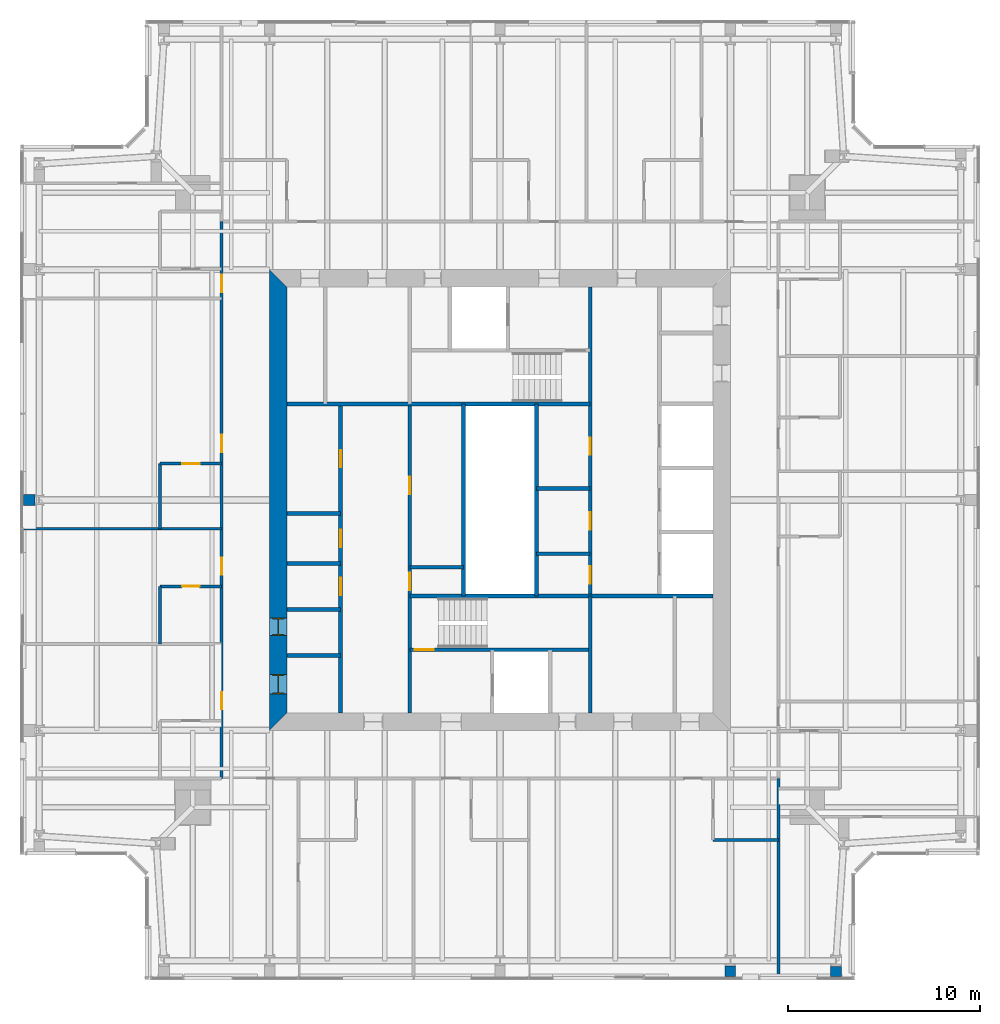
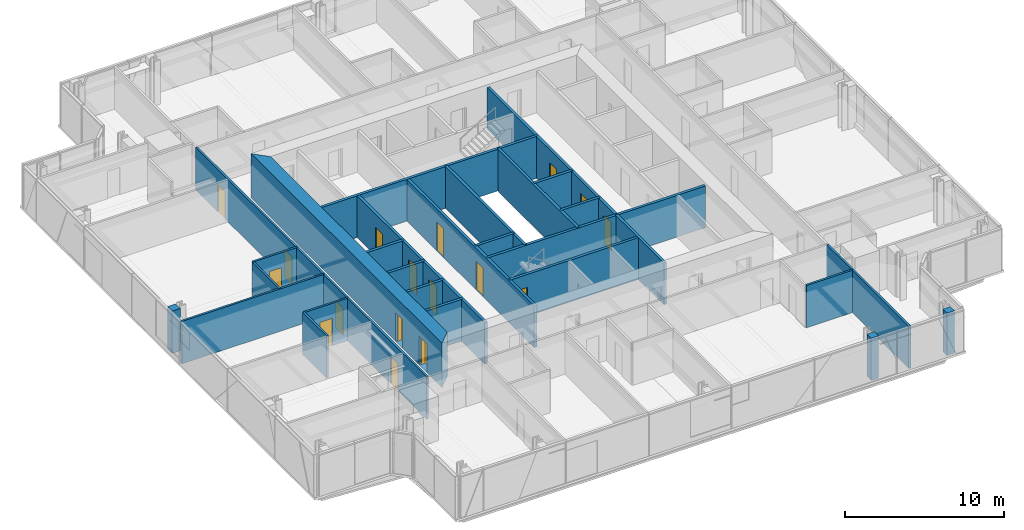
# One storey, part 12 of 20: 28 walls, 17 doors, 17 openings.
"""IFC4 building model written with IfcOpenShell, lengths in metres."""

import ifcopenshell
import ifcopenshell.guid

model = None  # the IFC model being written
_history = None  # IfcOwnerHistory: only IFC2X3 demands one
_inside = {}  # id of a spatial element -> (the spatial element, [elements in it])
_under = {}  # id of a project, library or spatial element -> (it, [spatial elements below it])
_declared = {}  # id of a project -> (the project, [libraries it declares])
_typed = {}  # id of a type object -> (the type object, [elements of that type])
_made_of = {}  # id of a material, layer set ... -> (it, [elements and type objects made of it])


def new_model(schema):
    """Start an empty IFC model of exactly this schema.

    Asked for "IFC4X3", IfcOpenShell would pick the latest addendum, in which some entities
    have other attributes; the version numbers below select the first issue.
    IFC2X3 requires an IfcOwnerHistory on every rooted entity: one is made here for all.
    """
    global model, _history
    if schema == "IFC4X3":
        model = ifcopenshell.file(schema_version=(4, 3, 0, 0))
    else:
        model = ifcopenshell.file(schema=schema)
    _inside.clear()
    _under.clear()
    _declared.clear()
    _typed.clear()
    _made_of.clear()
    _history = None
    if model.schema == "IFC2X3":
        org = make("IfcOrganization", Name="unknown")
        user = make(
            "IfcPersonAndOrganization",
            ThePerson=make("IfcPerson", FamilyName="unknown"),
            TheOrganization=org,
        )
        app = make(
            "IfcApplication",
            ApplicationDeveloper=org,
            Version="unknown",
            ApplicationFullName="unknown",
            ApplicationIdentifier="unknown",
        )
        _history = make(
            "IfcOwnerHistory",
            OwningUser=user,
            OwningApplication=app,
            ChangeAction="ADDED",
            CreationDate=0,
        )
    return model


def make(cls, **values):
    """One entity of the class cls with the attributes given. An attribute that is None is left unset."""
    return model.create_entity(
        cls, **{name: value for name, value in values.items() if value is not None}
    )


def rooted(cls, **values):
    """An entity with a GlobalId (a new one), such as an element, a storey or a relation."""
    return make(cls, GlobalId=ifcopenshell.guid.new(), OwnerHistory=_history, **values)


def si_unit(unit_type, name, prefix=None):
    """IfcSIUnit, for example si_unit("LENGTHUNIT", "METRE", prefix="MILLI")."""
    return make("IfcSIUnit", UnitType=unit_type, Prefix=prefix, Name=name)


def assignment(units):
    """IfcUnitAssignment: the units of a project."""
    return None if units is None else make("IfcUnitAssignment", Units=units)


def point(xyz):
    """IfcCartesianPoint."""
    return None if xyz is None else make("IfcCartesianPoint", Coordinates=xyz)


def direction(xyz):
    """IfcDirection."""
    return None if xyz is None else make("IfcDirection", DirectionRatios=xyz)


def frame(location, z_axis=None, x_axis=None):
    """IfcAxis2Placement3D, a coordinate frame: its origin and axes. An axis left out is left unset."""
    return make(
        "IfcAxis2Placement3D",
        Location=point(location),
        Axis=direction(z_axis),
        RefDirection=direction(x_axis),
    )


def frame_2d(location, x_axis=None):
    """IfcAxis2Placement2D, a coordinate frame in the plane: its origin and x axis."""
    return make(
        "IfcAxis2Placement2D", Location=point(location), RefDirection=direction(x_axis)
    )


def origin():
    """The frame at (0, 0, 0) with its axes left unset."""
    return frame((0.0, 0.0, 0.0))


def place(relative_to, where):
    """IfcLocalPlacement: puts the frame where relative to a parent placement (None: the world)."""
    return make(
        "IfcLocalPlacement", PlacementRelTo=relative_to, RelativePlacement=where
    )


def context(
    kind, dimensions, precision=None, world=None, true_north=None, identifier=None
):
    """IfcGeometricRepresentationContext, for example the 3D "Model" context."""
    return make(
        "IfcGeometricRepresentationContext",
        ContextIdentifier=identifier,
        ContextType=kind,
        CoordinateSpaceDimension=dimensions,
        Precision=precision,
        WorldCoordinateSystem=world,
        TrueNorth=true_north,
    )


def subcontext(parent, identifier, kind, view, scale=None):
    """IfcGeometricRepresentationSubContext, for example "Body" below "Model"."""
    return make(
        "IfcGeometricRepresentationSubContext",
        ContextIdentifier=identifier,
        ContextType=kind,
        ParentContext=parent,
        TargetScale=scale,
        TargetView=view,
    )


def project(units=None, contexts=None):
    """IfcProject with its units and contexts."""
    return rooted(
        "IfcProject",
        Name="project",
        RepresentationContexts=contexts,
        UnitsInContext=assignment(units),
    )


def spatial(cls, under=None, at=None, **own):
    """A site, building, storey or space (cls), placed at a placement, below another one or the project."""
    s = rooted(cls, ObjectPlacement=at, **own)
    if under is not None:
        _under.setdefault(under.id(), (under, []))[1].append(s)
    return s


def polyline(points):
    """IfcPolyline through the points."""
    return make("IfcPolyline", Points=[point(p) for p in points])


def profile(cls, at=None, kind="AREA", **sizes):
    """A parametric profile (cls). Its sizes go by their IFC names, for example OverallWidth=200.0."""
    return make(cls, ProfileType=kind, Position=at, **sizes)


def rectangle(**sizes):
    """IfcRectangleProfileDef."""
    return profile("IfcRectangleProfileDef", **sizes)


def outline(outer, holes=None, kind="AREA"):
    """IfcArbitraryClosedProfileDef: a profile drawn as a closed curve; with holes, ...WithVoids."""
    if holes is None:
        return make("IfcArbitraryClosedProfileDef", ProfileType=kind, OuterCurve=outer)
    return make(
        "IfcArbitraryProfileDefWithVoids",
        ProfileType=kind,
        OuterCurve=outer,
        InnerCurves=holes,
    )


def extrude(swept, where, along, depth):
    """IfcExtrudedAreaSolid: the profile swept, set in the frame where, extruded along a direction by depth."""
    return make(
        "IfcExtrudedAreaSolid",
        SweptArea=swept,
        Position=where,
        ExtrudedDirection=direction(along),
        Depth=depth,
    )


def shape(context_of_items, identifier, shape_type, items):
    """IfcShapeRepresentation: the items that make up one representation, for example the "Body"."""
    return make(
        "IfcShapeRepresentation",
        ContextOfItems=context_of_items,
        RepresentationIdentifier=identifier,
        RepresentationType=shape_type,
        Items=items,
    )


def material(Name=None, Category=None):
    """IfcMaterial."""
    return make("IfcMaterial", Name=Name, Category=Category)


def layer(
    of_material, thickness, ventilated=None, Name=None, Category=None, Priority=None
):
    """IfcMaterialLayer: one layer of a wall or slab, of a material (None: an air gap)."""
    return make(
        "IfcMaterialLayer",
        Material=of_material,
        LayerThickness=thickness,
        IsVentilated=ventilated,
        Name=Name,
        Category=Category,
        Priority=Priority,
    )


def layer_set(layers, Name=None):
    """IfcMaterialLayerSet."""
    return make("IfcMaterialLayerSet", MaterialLayers=layers, LayerSetName=Name)


def made_of(thing, what):
    """Note that an element or type object is made of a material, layer set ...; save() writes the relation."""
    if what is not None:
        _made_of.setdefault(what.id(), (what, []))[1].append(thing)
    return thing


def type_object(cls, material=None, **own):
    """A type object (cls), such as IfcWallType, which elements share."""
    return made_of(rooted(cls, **own), material)


def element(
    cls,
    number,
    at=None,
    inside=None,
    cuts=None,
    type_object=None,
    material=None,
    context=None,
    identifier="Body",
    shape_type=None,
    held_by="IfcProductDefinitionShape",
    body=None,
    shapes=None,
    **own,
):
    """One element of the class cls, such as IfcWall. Its Tag is "e" and its number.

    at: its placement. inside: the storey or other place that contains it. cuts: it is an
    opening in that element (IfcRelVoidsElement). A single representation is given by context,
    identifier, shape_type and body (its items); several are given by shapes. held_by: the class
    of the entity that holds the representations. save() writes the other relations.
    """
    e = rooted(cls, Tag="e%d" % number, ObjectPlacement=at, **own)
    if body is not None:
        shapes = [shape(context, identifier, shape_type, body)]
    if shapes is not None:
        e.Representation = make(held_by, Representations=shapes)
    if inside is not None:
        _inside.setdefault(inside.id(), (inside, []))[1].append(e)
    if cuts is not None:
        rooted(
            "IfcRelVoidsElement", RelatingBuildingElement=cuts, RelatedOpeningElement=e
        )
    if type_object is not None:
        _typed.setdefault(type_object.id(), (type_object, []))[1].append(e)
    return made_of(e, material)


def fill(opening, filler):
    """IfcRelFillsElement: the door or window that sits in an opening."""
    return rooted(
        "IfcRelFillsElement",
        RelatingOpeningElement=opening,
        RelatedBuildingElement=filler,
    )


def aggregate(whole, parts):
    """IfcRelAggregates: a whole, such as a stair, and the parts it consists of."""
    return rooted("IfcRelAggregates", RelatingObject=whole, RelatedObjects=parts)


def save(model, path):
    """Write the relations noted so far, then the file.

    IfcRelAggregates (storeys below a building ...), IfcRelContainedInSpatialStructure (elements
    in a storey), IfcRelDefinesByType, IfcRelAssociatesMaterial and IfcRelDeclares: one each for
    every whole, place, type object, material and project.
    """
    for whole, parts in _under.values():
        aggregate(whole, parts)
    for where, things in _inside.values():
        rooted(
            "IfcRelContainedInSpatialStructure",
            RelatedElements=things,
            RelatingStructure=where,
        )
    for kind, things in _typed.values():
        rooted("IfcRelDefinesByType", RelatedObjects=things, RelatingType=kind)
    for what, things in _made_of.values():
        rooted("IfcRelAssociatesMaterial", RelatedObjects=things, RelatingMaterial=what)
    for by, libraries in _declared.values():
        rooted("IfcRelDeclares", RelatingContext=by, RelatedDefinitions=libraries)
    model.write(path)


model = new_model("IFC4")

# Units and contexts
model_context = context("Model", 3, precision=1e-05, world=origin(), true_north=direction((0.0, 1.0)))
body_context = subcontext(model_context, "Body", "Model", "MODEL_VIEW")
ifc_project = project(units=[si_unit("LENGTHUNIT", "METRE"), si_unit("AREAUNIT", "SQUARE_METRE"), si_unit("VOLUMEUNIT", "CUBIC_METRE"), si_unit("PLANEANGLEUNIT", "RADIAN"), si_unit("MASSUNIT", "GRAM", prefix="KILO")], contexts=[model_context])

# Site, building, storey
site_placement = place(None, origin())
site = spatial("IfcSite", under=ifc_project, at=site_placement, CompositionType="ELEMENT")
building_placement = place(site_placement, origin())
building = spatial("IfcBuilding", under=site, at=building_placement, Name="Fenwick Lantern Interchange", CompositionType="ELEMENT")
storey_placement = place(building_placement, frame((0.0, 0.0, 286.60009765625)))
storey = spatial("IfcBuildingStorey", under=building, at=storey_placement, Name="L69", CompositionType="ELEMENT", Elevation=286.60009765625)

# Walls
ifc_material_1 = material(Name="Fire-rated gypsum board encasement on steel studs, 2 hour", Category="steel")
ifc_layer_1 = layer(ifc_material_1, 0.5419921875)
ifc_layer_set_1 = layer_set([ifc_layer_1], Name="COLUMN PIER 542")
wall_type_1 = type_object("IfcWallType", Name="COLUMN PIER 542", PredefinedType="PARTITIONING", material=ifc_layer_set_1)
wall_1_placement = place(storey_placement, frame((37.0, 0.18994140625, 0.0), z_axis=(0.0, 0.0, 1.0), x_axis=(0.0, 1.0, 0.0)))
element("IfcWall", 1, at=wall_1_placement, inside=storey, type_object=wall_type_1, Name="L69/W/PIER/CS4", PredefinedType="PARTITIONING", context=body_context, shape_type="SweptSolid", body=[
    extrude(rectangle(XDim=0.544677734375, YDim=0.5419921875, at=frame_2d((0.2724609375, 0.0))), origin(), (0.0, 0.0, 1.0), 3.25),
])
ifc_layer_2 = layer(ifc_material_1, 0.554931640625)
ifc_layer_set_2 = layer_set([ifc_layer_2], Name="COLUMN PIER 555")
wall_type_2 = type_object("IfcWallType", Name="COLUMN PIER 555", PredefinedType="PARTITIONING", material=ifc_layer_set_2)
wall_2_placement = place(storey_placement, frame((42.5, 0.18994140625, 0.0), z_axis=(0.0, 0.0, 1.0), x_axis=(0.0, 1.0, 0.0)))
element("IfcWall", 2, at=wall_2_placement, inside=storey, type_object=wall_type_2, Name="L69/W/PIER/CS5", PredefinedType="PARTITIONING", context=body_context, shape_type="SweptSolid", body=[
    extrude(rectangle(XDim=0.525634765625, YDim=0.554931640625, at=frame_2d((0.2626953125, 0.0))), origin(), (0.0, 0.0, 1.0), 3.25),
])
ifc_layer_3 = layer(ifc_material_1, 0.574951171875)
ifc_layer_set_3 = layer_set([ifc_layer_3], Name="COLUMN PIER 575")
wall_type_3 = type_object("IfcWallType", Name="COLUMN PIER 575", PredefinedType="PARTITIONING", material=ifc_layer_set_3)
wall_3_placement = place(storey_placement, frame((0.18994140625, 25.0, 0.0), z_axis=(0.0, 0.0, 1.0), x_axis=(1.0, 0.0, 0.0)))
element("IfcWall", 3, at=wall_3_placement, inside=storey, type_object=wall_type_3, Name="L69/W/PIER/CW3", PredefinedType="PARTITIONING", context=body_context, shape_type="SweptSolid", body=[
    extrude(rectangle(XDim=0.597900390625, YDim=0.574951171875, at=frame_2d((0.298828125, 0.0))), origin(), (0.0, 0.0, 1.0), 3.25),
])

# Wall, openings, doors
ifc_material_2 = material(Name="Concrete masonry ASTM C90 Grade N", Category="masonry")
ifc_layer_4 = layer(ifc_material_2, 0.199951171875)
ifc_layer_set_4 = layer_set([ifc_layer_4], Name="Concrete masonry ASTM C90 Grade N")
wall_type_4 = type_object("IfcWallType", Name="CORE PARTITION 200", PredefinedType="PARTITIONING", material=ifc_layer_set_4)
wall_4_placement = place(storey_placement, frame((16.699951171875, 13.89990234375, 0.0), z_axis=(0.0, 0.0, 1.0), x_axis=(0.0, 1.0, 0.0)))
wall_4 = element("IfcWall", 4, at=wall_4_placement, inside=storey, type_object=wall_type_4, Name="L69/W/CORES/a", PredefinedType="PARTITIONING", context=body_context, shape_type="SweptSolid", body=[
    extrude(rectangle(XDim=16.10009765625, YDim=0.199951171875, at=frame_2d((8.050048828125, 0.0))), origin(), (0.0, 0.0, 1.0), 3.199951171875),
])
opening_1_placement = place(wall_4_placement, frame((6.14990234375, 0.0, 0.0)))
opening_1 = element("IfcOpeningElement", 5, at=opening_1_placement, cuts=wall_4, Name="Opening L69-D009", PredefinedType="OPENING", context=body_context, shape_type="SweptSolid", body=[
    extrude(rectangle(XDim=0.89990234375, YDim=2.199951171875, at=frame_2d((0.449951171875, 1.10009765625))), frame((0.0, 0.10986328125, 0.0), z_axis=(0.0, -1.0, 0.0), x_axis=(1.0, 0.0, 0.0)), (0.0, 0.0, 1.0), 0.219970703125),
])
opening_2_placement = place(wall_4_placement, frame((8.64990234375, 0.0, 0.0)))
opening_2 = element("IfcOpeningElement", 6, at=opening_2_placement, cuts=wall_4, Name="Opening L69-D010", PredefinedType="OPENING", context=body_context, shape_type="SweptSolid", body=[
    extrude(rectangle(XDim=0.89990234375, YDim=2.199951171875, at=frame_2d((0.449951171875, 1.10009765625))), frame((0.0, 0.10986328125, 0.0), z_axis=(0.0, -1.0, 0.0), x_axis=(1.0, 0.0, 0.0)), (0.0, 0.0, 1.0), 0.219970703125),
])
opening_3_placement = place(wall_4_placement, frame((12.800048828125, 0.0, 0.0)))
opening_3 = element("IfcOpeningElement", 7, at=opening_3_placement, cuts=wall_4, Name="Opening L69-D011", PredefinedType="OPENING", context=body_context, shape_type="SweptSolid", body=[
    extrude(rectangle(XDim=0.89990234375, YDim=2.199951171875, at=frame_2d((0.449951171875, 1.10009765625))), frame((0.0, 0.10986328125, 0.0), z_axis=(0.0, -1.0, 0.0), x_axis=(1.0, 0.0, 0.0)), (0.0, 0.0, 1.0), 0.219970703125),
])
ifc_material_3 = material(Name="Steel door and frame", Category="steel")
door_type_1 = type_object("IfcDoorType", Name="SERVICE DOOR 900 X 2200", OperationType="SINGLE_SWING_LEFT", PredefinedType="DOOR", material=ifc_material_3)
door_1_placement = place(opening_1_placement, origin())
door_1 = element("IfcDoor", 8, at=door_1_placement, inside=storey, type_object=door_type_1, Name="Service door", OperationType="SINGLE_SWING_LEFT", OverallHeight=2.199951171875, OverallWidth=0.89990234375, PredefinedType="DOOR", context=body_context, shape_type="SweptSolid", body=[
    extrude(rectangle(XDim=0.89990234375, YDim=2.199951171875, at=frame_2d((0.449951171875, 1.10009765625))), frame((0.0, 0.02490234375, 0.0), z_axis=(0.0, -1.0, 0.0), x_axis=(1.0, 0.0, 0.0)), (0.0, 0.0, 1.0), 0.050048828125),
])
fill(opening_1, door_1)
door_2_placement = place(opening_2_placement, origin())
door_2 = element("IfcDoor", 9, at=door_2_placement, inside=storey, type_object=door_type_1, Name="Service door", OperationType="SINGLE_SWING_LEFT", OverallHeight=2.199951171875, OverallWidth=0.89990234375, PredefinedType="DOOR", context=body_context, shape_type="SweptSolid", body=[
    extrude(rectangle(XDim=0.89990234375, YDim=2.199951171875, at=frame_2d((0.449951171875, 1.10009765625))), frame((0.0, 0.02490234375, 0.0), z_axis=(0.0, -1.0, 0.0), x_axis=(1.0, 0.0, 0.0)), (0.0, 0.0, 1.0), 0.050048828125),
])
fill(opening_2, door_2)
door_3_placement = place(opening_3_placement, origin())
door_3 = element("IfcDoor", 10, at=door_3_placement, inside=storey, type_object=door_type_1, Name="Service door", OperationType="SINGLE_SWING_LEFT", OverallHeight=2.199951171875, OverallWidth=0.89990234375, PredefinedType="DOOR", context=body_context, shape_type="SweptSolid", body=[
    extrude(rectangle(XDim=0.89990234375, YDim=2.199951171875, at=frame_2d((0.449951171875, 1.10009765625))), frame((0.0, 0.02490234375, 0.0), z_axis=(0.0, -1.0, 0.0), x_axis=(1.0, 0.0, 0.0)), (0.0, 0.0, 1.0), 0.050048828125),
])
fill(opening_3, door_3)

# Walls
wall_5_placement = place(storey_placement, frame((23.10009765625, 20.0, 0.0), z_axis=(0.0, 0.0, 1.0), x_axis=(0.0, 1.0, 0.0)))
element("IfcWall", 11, at=wall_5_placement, inside=storey, type_object=wall_type_4, Name="L69/W/CORES/e3", PredefinedType="PARTITIONING", context=body_context, shape_type="SweptSolid", body=[
    extrude(rectangle(XDim=10.0, YDim=0.199951171875, at=frame_2d((5.0, 0.0))), origin(), (0.0, 0.0, 1.0), 3.199951171875),
])
for number, where, z_axis, x_axis, name in (
    (12, (13.89990234375, 16.89990234375, 0.0), (0.0, 0.0, 1.0), (1.0, 0.0, 0.0), "L69/W/CORES/p1"),
    (13, (13.89990234375, 19.300048828125, 0.0), (0.0, 0.0, 1.0), (1.0, 0.0, 0.0), "L69/W/CORES/p2"),
    (14, (13.89990234375, 21.699951171875, 0.0), (0.0, 0.0, 1.0), (1.0, 0.0, 0.0), "L69/W/CORES/p3"),
    (15, (13.89990234375, 24.300048828125, 0.0), (0.0, 0.0, 1.0), (1.0, 0.0, 0.0), "L69/W/CORES/p4"),
    (16, (20.300048828125, 21.5, 0.0), (0.0, 0.0, 1.0), (1.0, 0.0, 0.0), "L69/W/CORES/q1"),
):
    element("IfcWall", number, at=place(storey_placement, frame(where, z_axis=z_axis, x_axis=x_axis)), inside=storey, type_object=wall_type_4, Name=name, PredefinedType="PARTITIONING", context=body_context, shape_type="SweptSolid", body=[
        extrude(rectangle(XDim=2.800048828125, YDim=0.199951171875, at=frame_2d((1.39990234375, 0.0))), origin(), (0.0, 0.0, 1.0), 3.199951171875),
    ])
wall_6_placement = place(storey_placement, frame((26.89990234375, 30.0, 0.0), z_axis=(0.0, 0.0, 1.0), x_axis=(0.0, -1.0, 0.0)))
element("IfcWall", 17, at=wall_6_placement, inside=storey, type_object=wall_type_4, Name="L69/W/COREN/e3", PredefinedType="PARTITIONING", context=body_context, shape_type="SweptSolid", body=[
    extrude(rectangle(XDim=10.0, YDim=0.199951171875, at=frame_2d((5.0, 0.0))), origin(), (0.0, 0.0, 1.0), 3.199951171875),
])
for number, where, z_axis, x_axis, name in (
    (18, (29.699951171875, 25.60009765625, 0.0), (0.0, 0.0, 1.0), (-1.0, 0.0, 0.0), "L69/W/COREN/q1"),
    (19, (29.699951171875, 22.199951171875, 0.0), (0.0, 0.0, 1.0), (-1.0, 0.0, 0.0), "L69/W/COREN/q2"),
):
    element("IfcWall", number, at=place(storey_placement, frame(where, z_axis=z_axis, x_axis=x_axis)), inside=storey, type_object=wall_type_4, Name=name, PredefinedType="PARTITIONING", context=body_context, shape_type="SweptSolid", body=[
        extrude(rectangle(XDim=2.800048828125, YDim=0.199951171875, at=frame_2d((1.39990234375, 0.0))), origin(), (0.0, 0.0, 1.0), 3.199951171875),
    ])

# Wall, openings, doors
ifc_material_4 = material(Name="Concrete f'c 70 MPa", Category="concrete")
ifc_layer_5 = layer(ifc_material_4, 0.89990234375)
ifc_layer_set_5 = layer_set([ifc_layer_5], Name="CORE WALL 900")
wall_type_5 = type_object("IfcWallType", Name="CORE WALL 900", PredefinedType="SHEAR", material=ifc_layer_set_5)
wall_7_placement = place(storey_placement, frame((13.449951171875, 36.10009765625, 0.0), z_axis=(0.0, 0.0, 1.0), x_axis=(0.0, -1.0, 0.0)))
wall_7 = element("IfcWall", 20, at=wall_7_placement, inside=storey, type_object=wall_type_5, Name="L69/CORE/W", PredefinedType="SHEAR", context=body_context, shape_type="SweptSolid", body=[
    extrude(outline(polyline([(-0.89990234375, -0.449951171875), (23.10009765625, -0.449951171875), (22.199951171875, 0.449951171875), (0.0, 0.449951171875), (-0.89990234375, -0.449951171875)])), origin(), (0.0, 0.0, 1.0), 3.39990234375),
])
opening_4_placement = place(wall_7_placement, frame((20.199951171875, 0.0, 0.0)))
opening_4 = element("IfcOpeningElement", 21, at=opening_4_placement, cuts=wall_7, Name="Opening L69-D007", PredefinedType="OPENING", context=body_context, shape_type="SweptSolid", body=[
    extrude(rectangle(XDim=1.0, YDim=2.199951171875, at=frame_2d((0.5, 1.10009765625))), frame((0.0, 0.4599609375, 0.0), z_axis=(0.0, -1.0, 0.0), x_axis=(1.0, 0.0, 0.0)), (0.0, 0.0, 1.0), 0.919921875),
])
opening_5_placement = place(wall_7_placement, frame((17.25, 0.0, 0.0)))
opening_5 = element("IfcOpeningElement", 22, at=opening_5_placement, cuts=wall_7, Name="Opening L69-D008", PredefinedType="OPENING", context=body_context, shape_type="SweptSolid", body=[
    extrude(rectangle(XDim=0.89990234375, YDim=2.199951171875, at=frame_2d((0.449951171875, 1.10009765625))), frame((0.0, 0.4599609375, 0.0), z_axis=(0.0, -1.0, 0.0), x_axis=(1.0, 0.0, 0.0)), (0.0, 0.0, 1.0), 0.919921875),
])
door_4_placement = place(opening_5_placement, origin())
door_4 = element("IfcDoor", 23, at=door_4_placement, inside=storey, type_object=door_type_1, Name="Service door", OperationType="SINGLE_SWING_LEFT", OverallHeight=2.199951171875, OverallWidth=0.89990234375, PredefinedType="DOOR", context=body_context, shape_type="SweptSolid", body=[
    extrude(rectangle(XDim=0.89990234375, YDim=2.199951171875, at=frame_2d((0.449951171875, 1.10009765625))), frame((0.0, 0.02490234375, 0.0), z_axis=(0.0, -1.0, 0.0), x_axis=(1.0, 0.0, 0.0)), (0.0, 0.0, 1.0), 0.050048828125),
    extrude(outline(polyline([(0.0, 0.0), (0.0400390625, 0.0), (0.0400390625, 2.159912109375), (0.85986328125, 2.159912109375), (0.85986328125, 0.0), (0.89990234375, 0.0), (0.89990234375, 2.199951171875), (0.0, 2.199951171875), (0.0, 0.0)])), frame((0.0, 0.300048828125, 0.0), z_axis=(0.0, -1.0, 0.0), x_axis=(1.0, 0.0, 0.0)), (0.0, 0.0, 1.0), 0.60009765625),
])
fill(opening_5, door_4)
ifc_material_5 = material(Name="Hardwood door and steel frame", Category="steel")
door_type_2 = type_object("IfcDoorType", Name="WC DOOR 1000 X 2200", OperationType="SINGLE_SWING_LEFT", PredefinedType="DOOR", material=ifc_material_5)
door_5_placement = place(opening_4_placement, origin())
door_5 = element("IfcDoor", 24, at=door_5_placement, inside=storey, type_object=door_type_2, Name="Wc door", OperationType="SINGLE_SWING_LEFT", OverallHeight=2.199951171875, OverallWidth=1.0, PredefinedType="DOOR", context=body_context, shape_type="SweptSolid", body=[
    extrude(rectangle(XDim=1.0, YDim=2.199951171875, at=frame_2d((0.5, 1.10009765625))), frame((0.0, 0.02490234375, 0.0), z_axis=(0.0, -1.0, 0.0), x_axis=(1.0, 0.0, 0.0)), (0.0, 0.0, 1.0), 0.050048828125),
    extrude(outline(polyline([(0.0, 0.0), (0.0400390625, 0.0), (0.0400390625, 2.159912109375), (0.9599609375, 2.159912109375), (0.9599609375, 0.0), (1.0, 0.0), (1.0, 2.199951171875), (0.0, 2.199951171875), (0.0, 0.0)])), frame((0.0, 0.300048828125, 0.0), z_axis=(0.0, -1.0, 0.0), x_axis=(1.0, 0.0, 0.0)), (0.0, 0.0, 1.0), 0.60009765625),
])
fill(opening_4, door_5)

ifc_material_6 = material(Name="Gypsum board on steel studs, 1 hour", Category="steel")
ifc_layer_6 = layer(ifc_material_6, 0.14990234375)
ifc_layer_set_6 = layer_set([ifc_layer_6], Name="CORRIDOR WALL 150")
wall_type_6 = type_object("IfcWallType", Name="CORRIDOR WALL 150", PredefinedType="PARTITIONING", material=ifc_layer_set_6)
wall_8_placement = place(storey_placement, frame((10.5, 39.5, 0.0), z_axis=(0.0, 0.0, 1.0), x_axis=(0.0, -1.0, 0.0)))
wall_8 = element("IfcWall", 25, at=wall_8_placement, inside=storey, type_object=wall_type_6, Name="L69/W/HOTEL/W/CW", PredefinedType="PARTITIONING", context=body_context, shape_type="SweptSolid", body=[
    extrude(rectangle(XDim=29.0, YDim=0.14990234375, at=frame_2d((14.5, 0.0))), origin(), (0.0, 0.0, 1.0), 3.25),
])
opening_6_placement = place(wall_8_placement, frame((2.77490234375, 0.0, 0.0)))
opening_6 = element("IfcOpeningElement", 26, at=opening_6_placement, cuts=wall_8, Name="Opening L69-D050", PredefinedType="OPENING", context=body_context, shape_type="SweptSolid", body=[
    extrude(rectangle(XDim=0.89990234375, YDim=2.10009765625, at=frame_2d((0.449951171875, 1.050048828125))), frame((0.0, 0.0849609375, 0.0), z_axis=(0.0, -1.0, 0.0), x_axis=(1.0, 0.0, 0.0)), (0.0, 0.0, 1.0), 0.169921875),
])
opening_7_placement = place(wall_8_placement, frame((11.10009765625, 0.0, 0.0)))
opening_7 = element("IfcOpeningElement", 27, at=opening_7_placement, cuts=wall_8, Name="Opening L69-D052", PredefinedType="OPENING", context=body_context, shape_type="SweptSolid", body=[
    extrude(rectangle(XDim=0.89990234375, YDim=2.10009765625, at=frame_2d((0.449951171875, 1.050048828125))), frame((0.0, 0.0849609375, 0.0), z_axis=(0.0, -1.0, 0.0), x_axis=(1.0, 0.0, 0.0)), (0.0, 0.0, 1.0), 0.169921875),
])
opening_8_placement = place(wall_8_placement, frame((17.5, 0.0, 0.0)))
opening_8 = element("IfcOpeningElement", 28, at=opening_8_placement, cuts=wall_8, Name="Opening L69-D054", PredefinedType="OPENING", context=body_context, shape_type="SweptSolid", body=[
    extrude(rectangle(XDim=0.89990234375, YDim=2.10009765625, at=frame_2d((0.449951171875, 1.050048828125))), frame((0.0, 0.0849609375, 0.0), z_axis=(0.0, -1.0, 0.0), x_axis=(1.0, 0.0, 0.0)), (0.0, 0.0, 1.0), 0.169921875),
])
opening_9_placement = place(wall_8_placement, frame((24.5, 0.0, 0.0)))
opening_9 = element("IfcOpeningElement", 29, at=opening_9_placement, cuts=wall_8, Name="Opening L69-D056", PredefinedType="OPENING", context=body_context, shape_type="SweptSolid", body=[
    extrude(rectangle(XDim=0.89990234375, YDim=2.10009765625, at=frame_2d((0.449951171875, 1.050048828125))), frame((0.0, 0.0849609375, 0.0), z_axis=(0.0, -1.0, 0.0), x_axis=(1.0, 0.0, 0.0)), (0.0, 0.0, 1.0), 0.169921875),
])
door_type_3 = type_object("IfcDoorType", Name="GUEST ROOM DOOR 900 X 2100", OperationType="SINGLE_SWING_LEFT", PredefinedType="DOOR", material=ifc_material_3)
door_6_placement = place(opening_6_placement, frame((0.89990234375, 0.0, 0.0), z_axis=(0.0, 0.0, 1.0), x_axis=(-1.0, 0.0, 0.0)))
door_6 = element("IfcDoor", 30, at=door_6_placement, inside=storey, type_object=door_type_3, Name="Guest room door", OperationType="SINGLE_SWING_RIGHT", OverallHeight=2.10009765625, OverallWidth=0.89990234375, PredefinedType="DOOR", context=body_context, shape_type="SweptSolid", body=[
    extrude(rectangle(XDim=0.89990234375, YDim=2.10009765625, at=frame_2d((0.449951171875, 1.050048828125))), frame((0.0, 0.02490234375, 0.0), z_axis=(0.0, -1.0, 0.0), x_axis=(1.0, 0.0, 0.0)), (0.0, 0.0, 1.0), 0.050048828125),
])
fill(opening_6, door_6)
door_7_placement = place(opening_7_placement, frame((0.89990234375, 0.0, 0.0), z_axis=(0.0, 0.0, 1.0), x_axis=(-1.0, 0.0, 0.0)))
door_7 = element("IfcDoor", 31, at=door_7_placement, inside=storey, type_object=door_type_3, Name="Guest room door", OperationType="SINGLE_SWING_LEFT", OverallHeight=2.10009765625, OverallWidth=0.89990234375, PredefinedType="DOOR", context=body_context, shape_type="SweptSolid", body=[
    extrude(rectangle(XDim=0.89990234375, YDim=2.10009765625, at=frame_2d((0.449951171875, 1.050048828125))), frame((0.0, 0.02490234375, 0.0), z_axis=(0.0, -1.0, 0.0), x_axis=(1.0, 0.0, 0.0)), (0.0, 0.0, 1.0), 0.050048828125),
])
fill(opening_7, door_7)
door_8_placement = place(opening_8_placement, frame((0.89990234375, 0.0, 0.0), z_axis=(0.0, 0.0, 1.0), x_axis=(-1.0, 0.0, 0.0)))
door_8 = element("IfcDoor", 32, at=door_8_placement, inside=storey, type_object=door_type_3, Name="Guest room door", OperationType="SINGLE_SWING_LEFT", OverallHeight=2.10009765625, OverallWidth=0.89990234375, PredefinedType="DOOR", context=body_context, shape_type="SweptSolid", body=[
    extrude(rectangle(XDim=0.89990234375, YDim=2.10009765625, at=frame_2d((0.449951171875, 1.050048828125))), frame((0.0, 0.02490234375, 0.0), z_axis=(0.0, -1.0, 0.0), x_axis=(1.0, 0.0, 0.0)), (0.0, 0.0, 1.0), 0.050048828125),
])
fill(opening_8, door_8)
door_9_placement = place(opening_9_placement, frame((0.89990234375, 0.0, 0.0), z_axis=(0.0, 0.0, 1.0), x_axis=(-1.0, 0.0, 0.0)))
door_9 = element("IfcDoor", 33, at=door_9_placement, inside=storey, type_object=door_type_3, Name="Guest room door", OperationType="SINGLE_SWING_LEFT", OverallHeight=2.10009765625, OverallWidth=0.89990234375, PredefinedType="DOOR", context=body_context, shape_type="SweptSolid", body=[
    extrude(rectangle(XDim=0.89990234375, YDim=2.10009765625, at=frame_2d((0.449951171875, 1.050048828125))), frame((0.0, 0.02490234375, 0.0), z_axis=(0.0, -1.0, 0.0), x_axis=(1.0, 0.0, 0.0)), (0.0, 0.0, 1.0), 0.050048828125),
])
fill(opening_9, door_9)

# Walls
ifc_material_7 = material(Name="Gypsum board on steel studs, moisture resistant", Category="steel")
ifc_layer_7 = layer(ifc_material_7, 0.14990234375)
ifc_layer_set_7 = layer_set([ifc_layer_7], Name="EN-SUITE WALL 150")
wall_type_7 = type_object("IfcWallType", Name="EN-SUITE WALL 150", PredefinedType="PARTITIONING", material=ifc_layer_set_7)
for number, where, z_axis, x_axis, name in (
    (34, (36.10009765625, 7.300048828125, 0.0), (0.0, 0.0, 1.0), (1.0, 0.0, 0.0), "L69/W/HOTEL/S/U3BW"),
    (35, (7.300048828125, 26.89990234375, 0.0), (0.0, 0.0, 1.0), (0.0, -1.0, 0.0), "L69/W/HOTEL/W/U2BW"),
):
    element("IfcWall", number, at=place(storey_placement, frame(where, z_axis=z_axis, x_axis=x_axis)), inside=storey, type_object=wall_type_7, Name=name, PredefinedType="PARTITIONING", context=body_context, shape_type="SweptSolid", body=[
        extrude(rectangle(XDim=3.39990234375, YDim=0.14990234375, at=frame_2d((1.699951171875, 0.0))), origin(), (0.0, 0.0, 1.0), 3.25),
    ])

# Wall, opening, door
wall_9_placement = place(storey_placement, frame((7.300048828125, 26.89990234375, 0.0), z_axis=(0.0, 0.0, 1.0), x_axis=(1.0, 0.0, 0.0)))
wall_9 = element("IfcWall", 36, at=wall_9_placement, inside=storey, type_object=wall_type_7, Name="L69/W/HOTEL/W/U2BX", PredefinedType="PARTITIONING", context=body_context, shape_type="SweptSolid", body=[
    extrude(rectangle(XDim=3.199951171875, YDim=0.14990234375, at=frame_2d((1.60009765625, 0.0))), origin(), (0.0, 0.0, 1.0), 3.25),
])
opening_10_placement = place(wall_9_placement, frame((1.14990234375, 0.0, 0.0)))
opening_10 = element("IfcOpeningElement", 37, at=opening_10_placement, cuts=wall_9, Name="Opening L69-D051", PredefinedType="OPENING", context=body_context, shape_type="SweptSolid", body=[
    extrude(rectangle(XDim=0.89990234375, YDim=2.10009765625, at=frame_2d((0.449951171875, 1.050048828125))), frame((0.0, 0.0849609375, 0.0), z_axis=(0.0, -1.0, 0.0), x_axis=(1.0, 0.0, 0.0)), (0.0, 0.0, 1.0), 0.169921875),
])
door_type_4 = type_object("IfcDoorType", Name="EN-SUITE DOOR 900 X 2100", OperationType="SINGLE_SWING_LEFT", PredefinedType="DOOR", material=ifc_material_5)
door_10_placement = place(opening_10_placement, frame((0.89990234375, 0.0, 0.0), z_axis=(0.0, 0.0, 1.0), x_axis=(-1.0, 0.0, 0.0)))
door_10 = element("IfcDoor", 38, at=door_10_placement, inside=storey, type_object=door_type_4, Name="En-suite door", OperationType="SINGLE_SWING_RIGHT", OverallHeight=2.10009765625, OverallWidth=0.89990234375, PredefinedType="DOOR", context=body_context, shape_type="SweptSolid", body=[
    extrude(rectangle(XDim=0.89990234375, YDim=2.10009765625, at=frame_2d((0.449951171875, 1.050048828125))), frame((0.0, 0.02490234375, 0.0), z_axis=(0.0, -1.0, 0.0), x_axis=(1.0, 0.0, 0.0)), (0.0, 0.0, 1.0), 0.050048828125),
])
fill(opening_10, door_10)

# Wall
wall_10_placement = place(storey_placement, frame((7.300048828125, 20.5, 0.0), z_axis=(0.0, 0.0, 1.0), x_axis=(0.0, -1.0, 0.0)))
element("IfcWall", 39, at=wall_10_placement, inside=storey, type_object=wall_type_7, Name="L69/W/HOTEL/W/U3BW", PredefinedType="PARTITIONING", context=body_context, shape_type="SweptSolid", body=[
    extrude(rectangle(XDim=3.0, YDim=0.14990234375, at=frame_2d((1.5, 0.0))), origin(), (0.0, 0.0, 1.0), 3.25),
])

# Wall, opening, door
wall_11_placement = place(storey_placement, frame((7.300048828125, 20.5, 0.0), z_axis=(0.0, 0.0, 1.0), x_axis=(1.0, 0.0, 0.0)))
wall_11 = element("IfcWall", 40, at=wall_11_placement, inside=storey, type_object=wall_type_7, Name="L69/W/HOTEL/W/U3BX", PredefinedType="PARTITIONING", context=body_context, shape_type="SweptSolid", body=[
    extrude(rectangle(XDim=3.199951171875, YDim=0.14990234375, at=frame_2d((1.60009765625, 0.0))), origin(), (0.0, 0.0, 1.0), 3.25),
])
opening_11_placement = place(wall_11_placement, frame((1.14990234375, 0.0, 0.0)))
opening_11 = element("IfcOpeningElement", 41, at=opening_11_placement, cuts=wall_11, Name="Opening L69-D053", PredefinedType="OPENING", context=body_context, shape_type="SweptSolid", body=[
    extrude(rectangle(XDim=0.89990234375, YDim=2.10009765625, at=frame_2d((0.449951171875, 1.050048828125))), frame((0.0, 0.0849609375, 0.0), z_axis=(0.0, -1.0, 0.0), x_axis=(1.0, 0.0, 0.0)), (0.0, 0.0, 1.0), 0.169921875),
])
door_11_placement = place(opening_11_placement, frame((0.89990234375, 0.0, 0.0), z_axis=(0.0, 0.0, 1.0), x_axis=(-1.0, 0.0, 0.0)))
door_11 = element("IfcDoor", 42, at=door_11_placement, inside=storey, type_object=door_type_4, Name="En-suite door", OperationType="SINGLE_SWING_RIGHT", OverallHeight=2.10009765625, OverallWidth=0.89990234375, PredefinedType="DOOR", context=body_context, shape_type="SweptSolid", body=[
    extrude(rectangle(XDim=0.89990234375, YDim=2.10009765625, at=frame_2d((0.449951171875, 1.050048828125))), frame((0.0, 0.02490234375, 0.0), z_axis=(0.0, -1.0, 0.0), x_axis=(1.0, 0.0, 0.0)), (0.0, 0.0, 1.0), 0.050048828125),
])
fill(opening_11, door_11)

# Walls
ifc_material_8 = material(Name="Gypsum board on steel studs, 1 hour acoustic", Category="steel")
ifc_layer_8 = layer(ifc_material_8, 0.14990234375)
ifc_layer_set_8 = layer_set([ifc_layer_8], Name="PARTY WALL 150")
wall_type_8 = type_object("IfcWallType", Name="PARTY WALL 150", PredefinedType="PARTITIONING", material=ifc_layer_set_8)
for number, where, z_axis, x_axis, name in (
    (43, (39.5, 0.14990234375, 0.0), (0.0, 0.0, 1.0), (0.0, 1.0, 0.0), "L69/W/HOTEL/E/SW3"),
    (44, (0.14990234375, 23.5, 0.0), (0.0, 0.0, 1.0), (1.0, 0.0, 0.0), "L69/W/HOTEL/W/U3PW"),
):
    element("IfcWall", number, at=place(storey_placement, frame(where, z_axis=z_axis, x_axis=x_axis)), inside=storey, type_object=wall_type_8, Name=name, PredefinedType="PARTITIONING", context=body_context, shape_type="SweptSolid", body=[
        extrude(rectangle(XDim=10.35009765625, YDim=0.14990234375, at=frame_2d((5.175048828125, 0.0))), origin(), (0.0, 0.0, 1.0), 3.25),
    ])

# Wall, openings, doors
ifc_material_9 = material(Name="Concrete f'c 45 MPa", Category="concrete")
ifc_layer_9 = layer(ifc_material_9, 0.199951171875)
ifc_layer_set_9 = layer_set([ifc_layer_9], Name="STAIR CORE WALL 200")
wall_type_9 = type_object("IfcWallType", Name="STAIR CORE WALL 200", PredefinedType="SOLIDWALL", material=ifc_layer_set_9)
wall_12_placement = place(storey_placement, frame((20.300048828125, 13.89990234375, 0.0), z_axis=(0.0, 0.0, 1.0), x_axis=(0.0, 1.0, 0.0)))
wall_12 = element("IfcWall", 45, at=wall_12_placement, inside=storey, type_object=wall_type_9, Name="L69/W/CORES/b", PredefinedType="SOLIDWALL", context=body_context, shape_type="SweptSolid", body=[
    extrude(rectangle(XDim=16.10009765625, YDim=0.199951171875, at=frame_2d((8.050048828125, 0.0))), origin(), (0.0, 0.0, 1.0), 3.199951171875),
])
opening_12_placement = place(wall_12_placement, frame((6.39990234375, 0.0, 0.0)))
opening_12 = element("IfcOpeningElement", 46, at=opening_12_placement, cuts=wall_12, Name="Opening L69-D012", PredefinedType="OPENING", context=body_context, shape_type="SweptSolid", body=[
    extrude(rectangle(XDim=0.89990234375, YDim=2.199951171875, at=frame_2d((0.449951171875, 1.10009765625))), frame((0.0, 0.10986328125, 0.0), z_axis=(0.0, -1.0, 0.0), x_axis=(1.0, 0.0, 0.0)), (0.0, 0.0, 1.0), 0.219970703125),
])
opening_13_placement = place(wall_12_placement, frame((11.39990234375, 0.0, 0.0)))
opening_13 = element("IfcOpeningElement", 47, at=opening_13_placement, cuts=wall_12, Name="Opening L69-D013", PredefinedType="OPENING", context=body_context, shape_type="SweptSolid", body=[
    extrude(rectangle(XDim=0.89990234375, YDim=2.199951171875, at=frame_2d((0.449951171875, 1.10009765625))), frame((0.0, 0.10986328125, 0.0), z_axis=(0.0, -1.0, 0.0), x_axis=(1.0, 0.0, 0.0)), (0.0, 0.0, 1.0), 0.219970703125),
])
door_12_placement = place(opening_12_placement, frame((0.89990234375, 0.0, 0.0), z_axis=(0.0, 0.0, 1.0), x_axis=(-1.0, 0.0, 0.0)))
door_12 = element("IfcDoor", 48, at=door_12_placement, inside=storey, type_object=door_type_1, Name="Service door", OperationType="SINGLE_SWING_RIGHT", OverallHeight=2.199951171875, OverallWidth=0.89990234375, PredefinedType="DOOR", context=body_context, shape_type="SweptSolid", body=[
    extrude(rectangle(XDim=0.89990234375, YDim=2.199951171875, at=frame_2d((0.449951171875, 1.10009765625))), frame((0.0, 0.02490234375, 0.0), z_axis=(0.0, -1.0, 0.0), x_axis=(1.0, 0.0, 0.0)), (0.0, 0.0, 1.0), 0.050048828125),
])
fill(opening_12, door_12)
door_13_placement = place(opening_13_placement, frame((0.89990234375, 0.0, 0.0), z_axis=(0.0, 0.0, 1.0), x_axis=(-1.0, 0.0, 0.0)))
door_13 = element("IfcDoor", 49, at=door_13_placement, inside=storey, type_object=door_type_1, Name="Service door", OperationType="SINGLE_SWING_RIGHT", OverallHeight=2.199951171875, OverallWidth=0.89990234375, PredefinedType="DOOR", context=body_context, shape_type="SweptSolid", body=[
    extrude(rectangle(XDim=0.89990234375, YDim=2.199951171875, at=frame_2d((0.449951171875, 1.10009765625))), frame((0.0, 0.02490234375, 0.0), z_axis=(0.0, -1.0, 0.0), x_axis=(1.0, 0.0, 0.0)), (0.0, 0.0, 1.0), 0.050048828125),
])
fill(opening_13, door_13)

# Wall, opening, door
wall_13_placement = place(storey_placement, frame((20.300048828125, 17.199951171875, 0.0), z_axis=(0.0, 0.0, 1.0), x_axis=(1.0, 0.0, 0.0)))
wall_13 = element("IfcWall", 50, at=wall_13_placement, inside=storey, type_object=wall_type_9, Name="L69/W/CORES/g1", PredefinedType="SOLIDWALL", context=body_context, shape_type="SweptSolid", body=[
    extrude(rectangle(XDim=9.39990234375, YDim=0.199951171875, at=frame_2d((4.699951171875, 0.0))), origin(), (0.0, 0.0, 1.0), 3.199951171875),
])
opening_14_placement = place(wall_13_placement, frame((0.25, 0.0, 0.0)))
opening_14 = element("IfcOpeningElement", 51, at=opening_14_placement, cuts=wall_13, Name="Opening L69-D003", PredefinedType="OPENING", context=body_context, shape_type="SweptSolid", body=[
    extrude(rectangle(XDim=1.0, YDim=2.199951171875, at=frame_2d((0.5, 1.10009765625))), frame((0.0, 0.10986328125, 0.0), z_axis=(0.0, -1.0, 0.0), x_axis=(1.0, 0.0, 0.0)), (0.0, 0.0, 1.0), 0.219970703125),
])
door_type_5 = type_object("IfcDoorType", Name="STAIR DOOR 1000 X 2200", OperationType="SINGLE_SWING_LEFT", PredefinedType="DOOR", material=ifc_material_3)
door_14_placement = place(opening_14_placement, origin())
door_14 = element("IfcDoor", 52, at=door_14_placement, inside=storey, type_object=door_type_5, Name="Stair door", OperationType="SINGLE_SWING_LEFT", OverallHeight=2.199951171875, OverallWidth=1.0, PredefinedType="DOOR", context=body_context, shape_type="SweptSolid", body=[
    extrude(rectangle(XDim=1.0, YDim=2.199951171875, at=frame_2d((0.5, 1.10009765625))), frame((0.0, 0.02490234375, 0.0), z_axis=(0.0, -1.0, 0.0), x_axis=(1.0, 0.0, 0.0)), (0.0, 0.0, 1.0), 0.050048828125),
])
fill(opening_14, door_14)

# Walls
wall_14_placement = place(storey_placement, frame((20.300048828125, 20.0, 0.0), z_axis=(0.0, 0.0, 1.0), x_axis=(1.0, 0.0, 0.0)))
element("IfcWall", 53, at=wall_14_placement, inside=storey, type_object=wall_type_9, Name="L69/W/CORES/g2", PredefinedType="SOLIDWALL", context=body_context, shape_type="SweptSolid", body=[
    extrude(rectangle(XDim=15.800048828125, YDim=0.199951171875, at=frame_2d((7.89990234375, 0.0))), origin(), (0.0, 0.0, 1.0), 3.199951171875),
])
wall_15_placement = place(storey_placement, frame((29.699951171875, 13.89990234375, 0.0), z_axis=(0.0, 0.0, 1.0), x_axis=(0.0, 1.0, 0.0)))
element("IfcWall", 54, at=wall_15_placement, inside=storey, type_object=wall_type_9, Name="L69/W/CORES/i1", PredefinedType="SOLIDWALL", context=body_context, shape_type="SweptSolid", body=[
    extrude(rectangle(XDim=6.10009765625, YDim=0.199951171875, at=frame_2d((3.050048828125, 0.0))), origin(), (0.0, 0.0, 1.0), 3.199951171875),
])

# Wall, openings, doors
wall_16_placement = place(storey_placement, frame((29.699951171875, 36.10009765625, 0.0), z_axis=(0.0, 0.0, 1.0), x_axis=(0.0, -1.0, 0.0)))
wall_16 = element("IfcWall", 55, at=wall_16_placement, inside=storey, type_object=wall_type_9, Name="L69/W/COREN/b", PredefinedType="SOLIDWALL", context=body_context, shape_type="SweptSolid", body=[
    extrude(rectangle(XDim=16.10009765625, YDim=0.199951171875, at=frame_2d((8.050048828125, 0.0))), origin(), (0.0, 0.0, 1.0), 3.199951171875),
])
opening_15_placement = place(wall_16_placement, frame((7.85009765625, 0.0, 0.0)))
opening_15 = element("IfcOpeningElement", 56, at=opening_15_placement, cuts=wall_16, Name="Opening L69-D022", PredefinedType="OPENING", context=body_context, shape_type="SweptSolid", body=[
    extrude(rectangle(XDim=0.89990234375, YDim=2.199951171875, at=frame_2d((0.449951171875, 1.10009765625))), frame((0.0, 0.10986328125, 0.0), z_axis=(0.0, -1.0, 0.0), x_axis=(1.0, 0.0, 0.0)), (0.0, 0.0, 1.0), 0.219970703125),
])
opening_16_placement = place(wall_16_placement, frame((11.75, 0.0, 0.0)))
opening_16 = element("IfcOpeningElement", 57, at=opening_16_placement, cuts=wall_16, Name="Opening L69-D023", PredefinedType="OPENING", context=body_context, shape_type="SweptSolid", body=[
    extrude(rectangle(XDim=0.89990234375, YDim=2.199951171875, at=frame_2d((0.449951171875, 1.10009765625))), frame((0.0, 0.10986328125, 0.0), z_axis=(0.0, -1.0, 0.0), x_axis=(1.0, 0.0, 0.0)), (0.0, 0.0, 1.0), 0.219970703125),
])
opening_17_placement = place(wall_16_placement, frame((14.550048828125, 0.0, 0.0)))
opening_17 = element("IfcOpeningElement", 58, at=opening_17_placement, cuts=wall_16, Name="Opening L69-D024", PredefinedType="OPENING", context=body_context, shape_type="SweptSolid", body=[
    extrude(rectangle(XDim=0.89990234375, YDim=2.199951171875, at=frame_2d((0.449951171875, 1.10009765625))), frame((0.0, 0.10986328125, 0.0), z_axis=(0.0, -1.0, 0.0), x_axis=(1.0, 0.0, 0.0)), (0.0, 0.0, 1.0), 0.219970703125),
])
door_15_placement = place(opening_15_placement, frame((0.89990234375, 0.0, 0.0), z_axis=(0.0, 0.0, 1.0), x_axis=(-1.0, 0.0, 0.0)))
door_15 = element("IfcDoor", 59, at=door_15_placement, inside=storey, type_object=door_type_1, Name="Service door", OperationType="SINGLE_SWING_RIGHT", OverallHeight=2.199951171875, OverallWidth=0.89990234375, PredefinedType="DOOR", context=body_context, shape_type="SweptSolid", body=[
    extrude(rectangle(XDim=0.89990234375, YDim=2.199951171875, at=frame_2d((0.449951171875, 1.10009765625))), frame((0.0, 0.02490234375, 0.0), z_axis=(0.0, -1.0, 0.0), x_axis=(1.0, 0.0, 0.0)), (0.0, 0.0, 1.0), 0.050048828125),
])
fill(opening_15, door_15)
door_16_placement = place(opening_16_placement, frame((0.89990234375, 0.0, 0.0), z_axis=(0.0, 0.0, 1.0), x_axis=(-1.0, 0.0, 0.0)))
door_16 = element("IfcDoor", 60, at=door_16_placement, inside=storey, type_object=door_type_1, Name="Service door", OperationType="SINGLE_SWING_RIGHT", OverallHeight=2.199951171875, OverallWidth=0.89990234375, PredefinedType="DOOR", context=body_context, shape_type="SweptSolid", body=[
    extrude(rectangle(XDim=0.89990234375, YDim=2.199951171875, at=frame_2d((0.449951171875, 1.10009765625))), frame((0.0, 0.02490234375, 0.0), z_axis=(0.0, -1.0, 0.0), x_axis=(1.0, 0.0, 0.0)), (0.0, 0.0, 1.0), 0.050048828125),
])
fill(opening_16, door_16)
door_17_placement = place(opening_17_placement, frame((0.89990234375, 0.0, 0.0), z_axis=(0.0, 0.0, 1.0), x_axis=(-1.0, 0.0, 0.0)))
door_17 = element("IfcDoor", 61, at=door_17_placement, inside=storey, type_object=door_type_1, Name="Service door", OperationType="SINGLE_SWING_RIGHT", OverallHeight=2.199951171875, OverallWidth=0.89990234375, PredefinedType="DOOR", context=body_context, shape_type="SweptSolid", body=[
    extrude(rectangle(XDim=0.89990234375, YDim=2.199951171875, at=frame_2d((0.449951171875, 1.10009765625))), frame((0.0, 0.02490234375, 0.0), z_axis=(0.0, -1.0, 0.0), x_axis=(1.0, 0.0, 0.0)), (0.0, 0.0, 1.0), 0.050048828125),
])
fill(opening_17, door_17)

# Wall
wall_17_placement = place(storey_placement, frame((29.699951171875, 30.0, 0.0), z_axis=(0.0, 0.0, 1.0), x_axis=(-1.0, 0.0, 0.0)))
element("IfcWall", 62, at=wall_17_placement, inside=storey, type_object=wall_type_9, Name="L69/W/COREN/g2", PredefinedType="SOLIDWALL", context=body_context, shape_type="SweptSolid", body=[
    extrude(rectangle(XDim=15.800048828125, YDim=0.199951171875, at=frame_2d((7.89990234375, 0.0))), origin(), (0.0, 0.0, 1.0), 3.199951171875),
])

save(model, "model.ifc")
